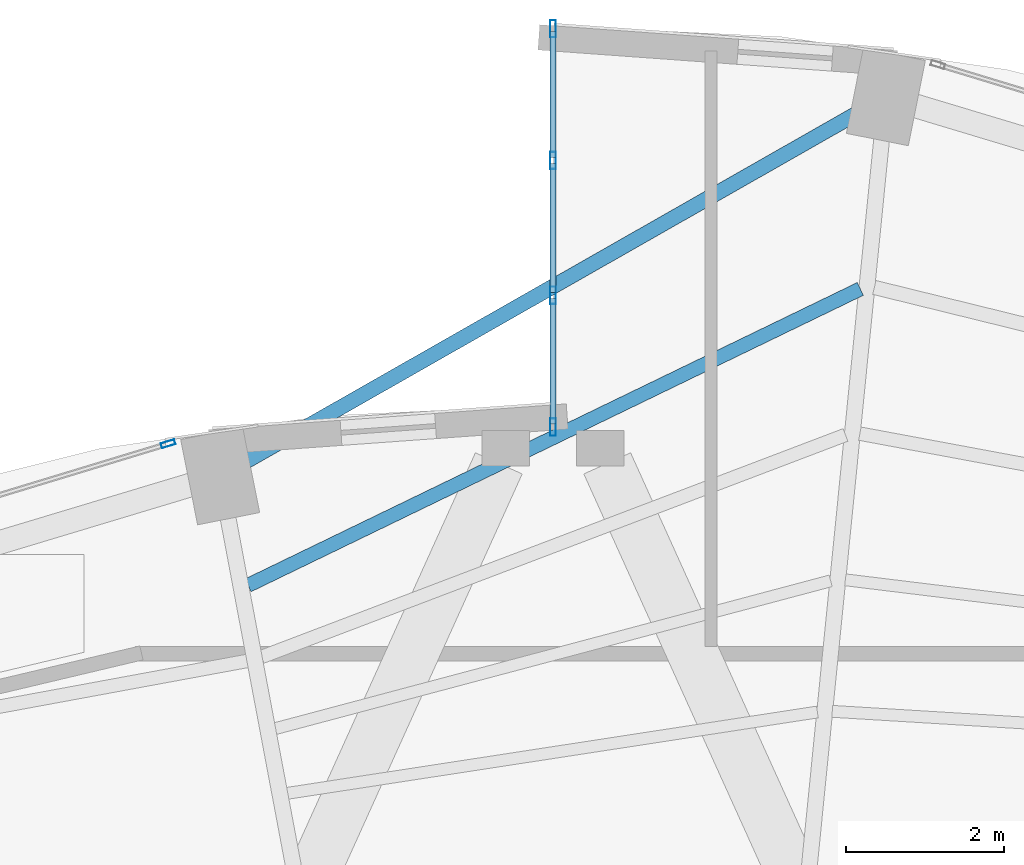
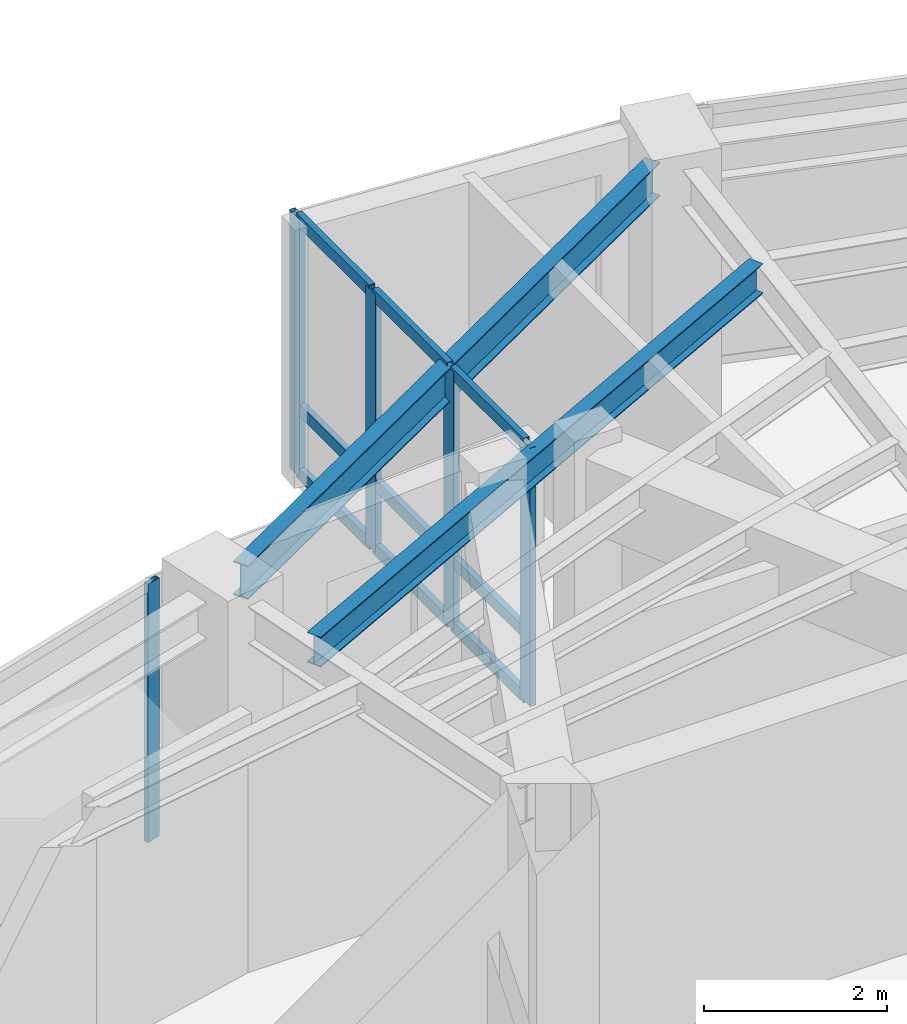
# One storey, part 16 of 22: 14 members, 2 beams, 2 elements without a shape of their own.
"""IFC4 building model written with IfcOpenShell, lengths in metres."""

from ifc_helpers import new_model, si_unit, direction, frame, origin, origin_2d, place, context, subcontext, project, spatial, hollow_rectangle, i_section, extrude, material, layer, layer_set, material_profile, profile_set, type_object, element, aggregate, save


model = new_model("IFC4")

# Units and contexts
model_context = context("Model", 3, precision=1e-05, world=origin(), true_north=direction((0.0, 1.0)))
body_context = subcontext(model_context, "Body", "Model", "MODEL_VIEW")
ifc_project = project(units=[si_unit("LENGTHUNIT", "METRE"), si_unit("AREAUNIT", "SQUARE_METRE"), si_unit("VOLUMEUNIT", "CUBIC_METRE"), si_unit("PLANEANGLEUNIT", "RADIAN"), si_unit("MASSUNIT", "GRAM", prefix="KILO")], contexts=[model_context])

# Site, building, storey
site_placement = place(None, origin())
site = spatial("IfcSite", under=ifc_project, at=site_placement, CompositionType="ELEMENT")
building_placement = place(site_placement, origin())
building = spatial("IfcBuilding", under=site, at=building_placement, Name="Lazwardi Medical Tower", CompositionType="ELEMENT")
storey_placement = place(building_placement, frame((0.0, 0.0, 251.3759765625)))
storey = spatial("IfcBuildingStorey", under=building, at=storey_placement, Name="L65", CompositionType="ELEMENT", Elevation=251.3759765625)

# Beams
ifc_material_1 = material(Name="Steel S355", Category="steel")
ifc_material_profile_1 = material_profile(ifc_material_1, i_section(OverallWidth=0.179931640625, OverallDepth=0.39990234375, WebThickness=0.008544921875, FlangeThickness=0.013427734375, at=origin_2d()), Name="IPE 400")
ifc_profile_set_1 = profile_set([ifc_material_profile_1], Name="Steel S355")
beam_type_1 = type_object("IfcBeamType", Name="BM-SJ-01", PredefinedType="JOIST", material=ifc_profile_set_1)
beam_1_placement = place(storey_placement, frame((39.89111328125, 43.367919921875, 3.248046875), z_axis=(-0.900068885459, -0.435747635024, 0.0), x_axis=(0.435747635024, -0.900068885459, 0.0)))
element("IfcBeam", 1, at=beam_1_placement, inside=storey, type_object=beam_type_1, Name="Secondary joist SJ-01 R1 B08 L65", PredefinedType="JOIST", context=body_context, shape_type="SweptSolid", body=[
    extrude(i_section(OverallWidth=0.179931640625, OverallDepth=0.39990234375, WebThickness=0.008544921875, FlangeThickness=0.013427734375, at=origin_2d()), origin(), (0.0, 0.0, 1.0), 8.612548828125),
])
ifc_material_profile_2 = material_profile(ifc_material_1, i_section(OverallWidth=0.18994140625, OverallDepth=0.449951171875, WebThickness=0.009521484375, FlangeThickness=0.0146484375, at=origin_2d()), Name="IPE 450")
ifc_profile_set_2 = profile_set([ifc_material_profile_2], Name="Steel S355")
beam_type_2 = type_object("IfcBeamType", Name="BM-SP-01", PredefinedType="SPANDREL", material=ifc_profile_set_2)
beam_2_placement = place(storey_placement, frame((39.875, 45.605224609375, 3.22314453125), z_axis=(-0.868954808466, -0.494891443494, 0.0), x_axis=(0.494891443494, -0.868954808466, 0.0)))
element("IfcBeam", 2, at=beam_2_placement, inside=storey, type_object=beam_type_2, Name="Spandrel beam SP-01 B08 L65", PredefinedType="SPANDREL", context=body_context, shape_type="SweptSolid", body=[
    extrude(i_section(OverallWidth=0.18994140625, OverallDepth=0.449951171875, WebThickness=0.009521484375, FlangeThickness=0.0146484375, at=origin_2d()), origin(), (0.0, 0.0, 1.0), 8.918701171875),
])

# Curtain wall, members
ifc_material_2 = material(Name="Anodised bronze aluminium and solar control glazing", Category="aluminium")
ifc_layer_1 = layer(ifc_material_2, 0.2099609375)
ifc_layer_set_1 = layer_set([ifc_layer_1], Name="Anodised bronze aluminium and solar control glazing")
curtain_wall_type_1 = type_object("IfcCurtainWallType", Name="CW-SYS-06", PredefinedType="NOTDEFINED", material=ifc_layer_set_1)
curtain_wall_1_placement = place(storey_placement, origin())
curtain_wall_1 = element("IfcCurtainWall", 3, at=curtain_wall_1_placement, inside=storey, type_object=curtain_wall_type_1, Name="L65 Unitised bronze curtain wall CW-06", PredefinedType="NOTDEFINED")
ifc_material_3 = material(Name="Anodised bronze aluminium", Category="aluminium")
ifc_material_profile_3 = material_profile(ifc_material_3, hollow_rectangle(XDim=0.074951171875, YDim=0.219970703125, WallThickness=0.00390625, at=origin_2d()), Name="ALU-MULLION 220x75x4")
ifc_profile_set_3 = profile_set([ifc_material_profile_3], Name="Anodised bronze aluminium")
member_type_1 = type_object("IfcMemberType", Name="CW-MUL-01", PredefinedType="MULLION", material=ifc_profile_set_3)
member_1_placement = place(storey_placement, frame((36.0, 46.66259765625, 0.0), z_axis=(0.0, 0.0, 1.0), x_axis=(1.0, 0.0, 0.0)))
member_1 = element("IfcMember", 4, at=member_1_placement, type_object=member_type_1, Name="CW-06 mullion 1", PredefinedType="MULLION", context=body_context, shape_type="SweptSolid", body=[
    extrude(hollow_rectangle(XDim=0.074951171875, YDim=0.219970703125, WallThickness=0.00390625, at=origin_2d()), origin(), (0.0, 0.0, 1.0), 3.447998046875),
])
member_2_placement = place(storey_placement, frame((36.0, 44.993408203125, 0.0), z_axis=(0.0, 0.0, 1.0), x_axis=(1.0, 0.0, 0.0)))
member_2 = element("IfcMember", 5, at=member_2_placement, type_object=member_type_1, Name="CW-06 mullion 2", PredefinedType="MULLION", context=body_context, shape_type="SweptSolid", body=[
    extrude(hollow_rectangle(XDim=0.074951171875, YDim=0.219970703125, WallThickness=0.00390625, at=origin_2d()), origin(), (0.0, 0.0, 1.0), 3.447998046875),
])
member_3_placement = place(storey_placement, frame((36.0, 43.28662109375, 0.0), z_axis=(0.0, 0.0, 1.0), x_axis=(1.0, 0.0, 0.0)))
member_3 = element("IfcMember", 6, at=member_3_placement, type_object=member_type_1, Name="CW-06 mullion 3", PredefinedType="MULLION", context=body_context, shape_type="SweptSolid", body=[
    extrude(hollow_rectangle(XDim=0.074951171875, YDim=0.219970703125, WallThickness=0.00390625, at=origin_2d()), origin(), (0.0, 0.0, 1.0), 3.447998046875),
])
member_4_placement = place(storey_placement, frame((36.0, 41.617431640625, 0.0), z_axis=(0.0, 0.0, 1.0), x_axis=(1.0, 0.0, 0.0)))
member_4 = element("IfcMember", 7, at=member_4_placement, type_object=member_type_1, Name="CW-06 mullion 4", PredefinedType="MULLION", context=body_context, shape_type="SweptSolid", body=[
    extrude(hollow_rectangle(XDim=0.074951171875, YDim=0.219970703125, WallThickness=0.00390625, at=origin_2d()), origin(), (0.0, 0.0, 1.0), 3.447998046875),
])

# Curtain wall, member
ifc_layer_2 = layer(ifc_material_2, 0.18994140625)
ifc_layer_set_2 = layer_set([ifc_layer_2], Name="Anodised bronze aluminium and solar control glazing")
curtain_wall_type_2 = type_object("IfcCurtainWallType", Name="CW-SYS-04", PredefinedType="NOTDEFINED", material=ifc_layer_set_2)
curtain_wall_2_placement = place(storey_placement, origin())
curtain_wall_2 = element("IfcCurtainWall", 8, at=curtain_wall_2_placement, inside=storey, type_object=curtain_wall_type_2, Name="L65 Unitised bronze curtain wall CW-04", PredefinedType="NOTDEFINED")
ifc_material_profile_4 = material_profile(ifc_material_3, hollow_rectangle(XDim=0.06494140625, YDim=0.179931640625, WallThickness=0.00390625, at=origin_2d()), Name="ALU-MULLION 180x65x4")
ifc_profile_set_4 = profile_set([ifc_material_profile_4], Name="Anodised bronze aluminium")
member_type_2 = type_object("IfcMemberType", Name="CW-MUL-03", PredefinedType="MULLION", material=ifc_profile_set_4)
member_5_placement = place(storey_placement, frame((31.126953125, 41.406982421875, 0.0), z_axis=(0.0, 0.0, 1.0), x_axis=(0.290581889515, -0.956850126972, 0.0)))
member_5 = element("IfcMember", 9, at=member_5_placement, type_object=member_type_2, Name="CW-04 mullion 1", PredefinedType="MULLION", context=body_context, shape_type="SweptSolid", body=[
    extrude(hollow_rectangle(XDim=0.06494140625, YDim=0.179931640625, WallThickness=0.00390625, at=origin_2d()), origin(), (0.0, 0.0, 1.0), 3.447998046875),
])
aggregate(curtain_wall_2, [member_5])

# Member
ifc_material_profile_5 = material_profile(ifc_material_3, hollow_rectangle(XDim=0.074951171875, YDim=0.159912109375, WallThickness=0.00390625, at=origin_2d()), Name="ALU-TRANSOM 160x75x4")
ifc_profile_set_5 = profile_set([ifc_material_profile_5], Name="Anodised bronze aluminium")
member_type_3 = type_object("IfcMemberType", Name="CW-TRN-01", PredefinedType="USERDEFINED", material=ifc_profile_set_5)
member_6_placement = place(storey_placement, frame((36.0, 46.625, 0.03759765625), z_axis=(0.0, -1.0, 0.0), x_axis=(1.0, 0.0, 0.0)))
member_6 = element("IfcMember", 10, at=member_6_placement, type_object=member_type_3, Name="CW-06 transom 1.1", ObjectType="TRANSOM", PredefinedType="USERDEFINED", context=body_context, shape_type="SweptSolid", body=[
    extrude(hollow_rectangle(XDim=0.074951171875, YDim=0.159912109375, WallThickness=0.00390625, at=origin_2d()), origin(), (0.0, 0.0, 1.0), 1.59423828125),
])

member_7_placement = place(storey_placement, frame((36.0, 46.625, 0.89990234375), z_axis=(0.0, -1.0, 0.0), x_axis=(1.0, 0.0, 0.0)))
member_7 = element("IfcMember", 11, at=member_7_placement, type_object=member_type_3, Name="CW-06 transom 1.2", ObjectType="TRANSOM", PredefinedType="USERDEFINED", context=body_context, shape_type="SweptSolid", body=[
    extrude(hollow_rectangle(XDim=0.074951171875, YDim=0.159912109375, WallThickness=0.00390625, at=origin_2d()), origin(), (0.0, 0.0, 1.0), 1.59423828125),
])

member_8_placement = place(storey_placement, frame((36.0, 46.625, 3.41064453125), z_axis=(0.0, -1.0, 0.0), x_axis=(1.0, 0.0, 0.0)))
member_8 = element("IfcMember", 12, at=member_8_placement, type_object=member_type_3, Name="CW-06 transom 1.3", ObjectType="TRANSOM", PredefinedType="USERDEFINED", context=body_context, shape_type="SweptSolid", body=[
    extrude(hollow_rectangle(XDim=0.074951171875, YDim=0.159912109375, WallThickness=0.00390625, at=origin_2d()), origin(), (0.0, 0.0, 1.0), 1.59423828125),
])

member_9_placement = place(storey_placement, frame((36.0, 44.955810546875, 0.03759765625), z_axis=(0.0, -1.0, 0.0), x_axis=(1.0, 0.0, 0.0)))
member_9 = element("IfcMember", 13, at=member_9_placement, type_object=member_type_3, Name="CW-06 transom 2.1", ObjectType="TRANSOM", PredefinedType="USERDEFINED", context=body_context, shape_type="SweptSolid", body=[
    extrude(hollow_rectangle(XDim=0.074951171875, YDim=0.159912109375, WallThickness=0.00390625, at=origin_2d()), origin(), (0.0, 0.0, 1.0), 1.631591796875),
])

member_10_placement = place(storey_placement, frame((36.0, 44.955810546875, 0.89990234375), z_axis=(0.0, -1.0, 0.0), x_axis=(1.0, 0.0, 0.0)))
member_10 = element("IfcMember", 14, at=member_10_placement, type_object=member_type_3, Name="CW-06 transom 2.2", ObjectType="TRANSOM", PredefinedType="USERDEFINED", context=body_context, shape_type="SweptSolid", body=[
    extrude(hollow_rectangle(XDim=0.074951171875, YDim=0.159912109375, WallThickness=0.00390625, at=origin_2d()), origin(), (0.0, 0.0, 1.0), 1.631591796875),
])

member_11_placement = place(storey_placement, frame((36.0, 44.955810546875, 3.41064453125), z_axis=(0.0, -1.0, 0.0), x_axis=(1.0, 0.0, 0.0)))
member_11 = element("IfcMember", 15, at=member_11_placement, type_object=member_type_3, Name="CW-06 transom 2.3", ObjectType="TRANSOM", PredefinedType="USERDEFINED", context=body_context, shape_type="SweptSolid", body=[
    extrude(hollow_rectangle(XDim=0.074951171875, YDim=0.159912109375, WallThickness=0.00390625, at=origin_2d()), origin(), (0.0, 0.0, 1.0), 1.631591796875),
])

member_12_placement = place(storey_placement, frame((36.0, 43.249267578125, 0.03759765625), z_axis=(0.0, -1.0, 0.0), x_axis=(1.0, 0.0, 0.0)))
member_12 = element("IfcMember", 16, at=member_12_placement, type_object=member_type_3, Name="CW-06 transom 3.1", ObjectType="TRANSOM", PredefinedType="USERDEFINED", context=body_context, shape_type="SweptSolid", body=[
    extrude(hollow_rectangle(XDim=0.074951171875, YDim=0.159912109375, WallThickness=0.00390625, at=origin_2d()), origin(), (0.0, 0.0, 1.0), 1.59423828125),
])

member_13_placement = place(storey_placement, frame((36.0, 43.249267578125, 0.89990234375), z_axis=(0.0, -1.0, 0.0), x_axis=(1.0, 0.0, 0.0)))
member_13 = element("IfcMember", 17, at=member_13_placement, type_object=member_type_3, Name="CW-06 transom 3.2", ObjectType="TRANSOM", PredefinedType="USERDEFINED", context=body_context, shape_type="SweptSolid", body=[
    extrude(hollow_rectangle(XDim=0.074951171875, YDim=0.159912109375, WallThickness=0.00390625, at=origin_2d()), origin(), (0.0, 0.0, 1.0), 1.59423828125),
])

member_14_placement = place(storey_placement, frame((36.0, 43.249267578125, 3.41064453125), z_axis=(0.0, -1.0, 0.0), x_axis=(1.0, 0.0, 0.0)))
member_14 = element("IfcMember", 18, at=member_14_placement, type_object=member_type_3, Name="CW-06 transom 3.3", ObjectType="TRANSOM", PredefinedType="USERDEFINED", context=body_context, shape_type="SweptSolid", body=[
    extrude(hollow_rectangle(XDim=0.074951171875, YDim=0.159912109375, WallThickness=0.00390625, at=origin_2d()), origin(), (0.0, 0.0, 1.0), 1.59423828125),
])

aggregate(curtain_wall_1, [member_1, member_2, member_3, member_4, member_6, member_7, member_8, member_9, member_10, member_11, member_12, member_13, member_14])

save(model, "model.ifc")
